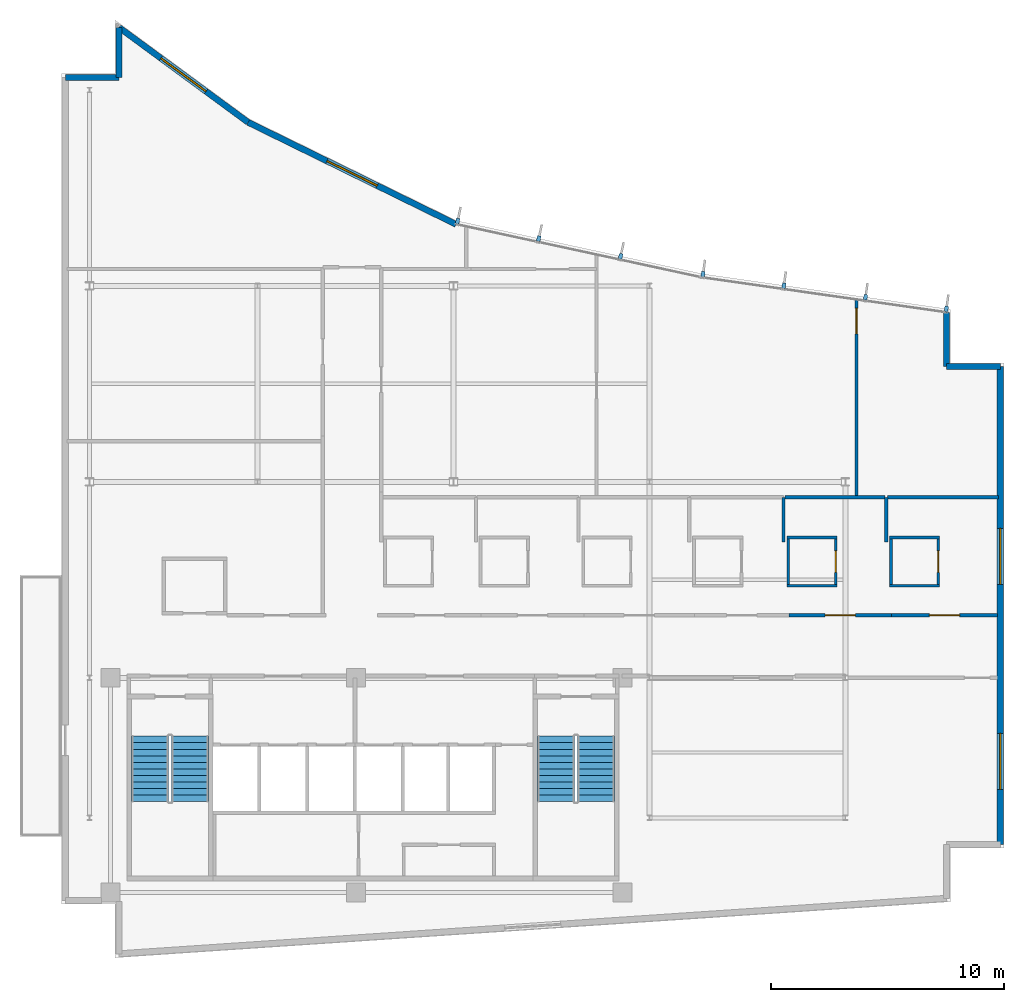
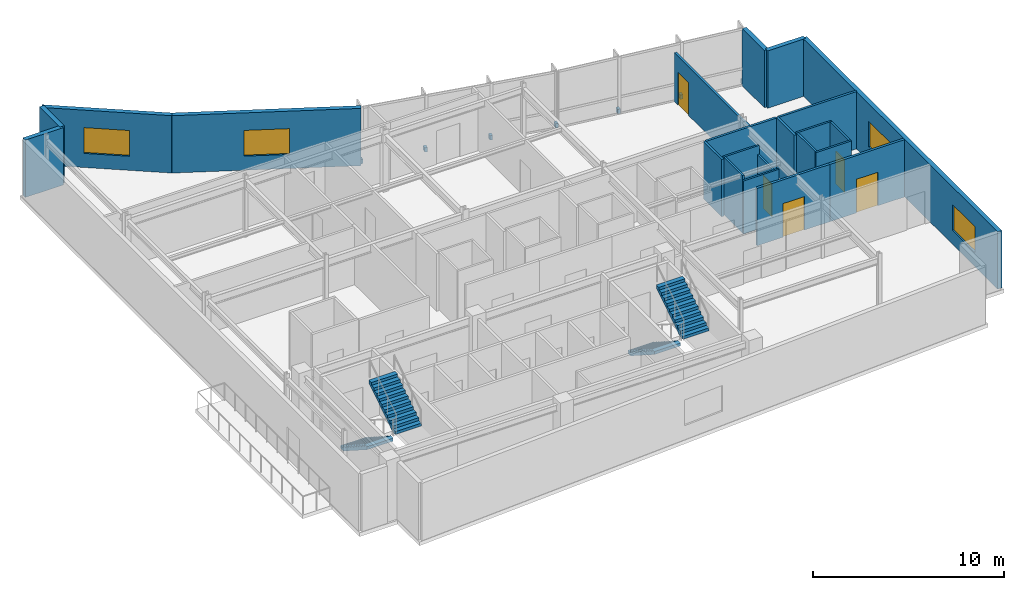
# One storey, part 12 of 15: 22 walls, 7 discrete accessories, 5 doors, 4 stair flights, 4 windows, 9 openings, 2 elements without a shape of their own.
"""IFC4 building model written with IfcOpenShell, lengths in metres."""

from ifc_helpers import new_model, si_unit, direction, frame, frame_2d, origin, origin_2d, place, context, subcontext, project, spatial, polyline, rectangle, outline, extrude, material, layer, layer_set, type_object, element, fill, aggregate, save


model = new_model("IFC4")

# Units and contexts
model_context = context("Model", 3, precision=1e-05, world=origin(), true_north=direction((0.0, 1.0)))
body_context = subcontext(model_context, "Body", "Model", "MODEL_VIEW")
ifc_project = project(units=[si_unit("LENGTHUNIT", "METRE"), si_unit("AREAUNIT", "SQUARE_METRE"), si_unit("VOLUMEUNIT", "CUBIC_METRE"), si_unit("PLANEANGLEUNIT", "RADIAN"), si_unit("MASSUNIT", "GRAM", prefix="KILO")], contexts=[model_context])

# Site, building, storey
site_placement = place(None, origin())
site = spatial("IfcSite", under=ifc_project, at=site_placement, CompositionType="ELEMENT")
building_placement = place(site_placement, origin())
building = spatial("IfcBuilding", under=site, at=building_placement, Name="Varnakote Quay Hospital", CompositionType="ELEMENT")
storey_placement = place(building_placement, frame((0.0, 0.0, 300.0)))
storey = spatial("IfcBuildingStorey", under=building, at=storey_placement, Name="L74", CompositionType="ELEMENT", Elevation=300.0)

# Walls
ifc_material_1 = material(Name="Moisture-resistant bathroom partition", Category="gypsum")
ifc_layer_1 = layer(ifc_material_1, 0.114990234375)
ifc_layer_set_1 = layer_set([ifc_layer_1], Name="Moisture-resistant bathroom partition")
wall_type_1 = type_object("IfcWallType", Name="WL-ENS-115", PredefinedType="PARTITIONING", material=ifc_layer_set_1)
wall_1_placement = place(storey_placement, frame((31.094970703125, 15.952392578125, 0.0), z_axis=(0.0, 0.0, 1.0), x_axis=(1.0, 0.0, 0.0)))
element("IfcWall", 1, at=wall_1_placement, inside=storey, type_object=wall_type_1, Name="L74 Inpatient En-Suite Bathroom 05 S Wall", PredefinedType="PARTITIONING", context=body_context, shape_type="SweptSolid", body=[
    extrude(rectangle(XDim=2.150146484375, YDim=0.114990234375, at=frame_2d((1.0751953125, 0.0))), origin(), (0.0, 0.0, 1.0), 3.388916015625),
])
wall_2_placement = place(storey_placement, frame((31.094970703125, 18.017578125, 0.0), z_axis=(0.0, 0.0, 1.0), x_axis=(1.0, 0.0, 0.0)))
element("IfcWall", 2, at=wall_2_placement, inside=storey, type_object=wall_type_1, Name="L74 Inpatient En-Suite Bathroom 05 N Wall", PredefinedType="PARTITIONING", context=body_context, shape_type="SweptSolid", body=[
    extrude(rectangle(XDim=2.150146484375, YDim=0.114990234375, at=frame_2d((1.0751953125, 0.0))), origin(), (0.0, 0.0, 1.0), 3.669921875),
])
wall_3_placement = place(storey_placement, frame((31.152587890625, 16.010009765625, 0.0), z_axis=(0.0, 0.0, 1.0), x_axis=(0.0, 1.0, 0.0)))
element("IfcWall", 3, at=wall_3_placement, inside=storey, type_object=wall_type_1, Name="L74 Inpatient En-Suite Bathroom 05 W Wall", PredefinedType="PARTITIONING", context=body_context, shape_type="SweptSolid", body=[
    extrude(rectangle(XDim=1.949951171875, YDim=0.114990234375, at=frame_2d((0.97509765625, 0.0))), origin(), (0.0, 0.0, 1.0), 3.669921875),
])

# Wall, opening, door
wall_4_placement = place(storey_placement, frame((33.1875, 16.010009765625, 0.0), z_axis=(0.0, 0.0, 1.0), x_axis=(0.0, 1.0, 0.0)))
wall_4 = element("IfcWall", 4, at=wall_4_placement, inside=storey, type_object=wall_type_1, Name="L74 Inpatient En-Suite Bathroom 05 E Wall", PredefinedType="PARTITIONING", context=body_context, shape_type="SweptSolid", body=[
    extrude(rectangle(XDim=1.949951171875, YDim=0.114990234375, at=frame_2d((0.97509765625, 0.0))), origin(), (0.0, 0.0, 1.0), 3.116943359375),
])
opening_1_placement = place(wall_4_placement, frame((0.514892578125, 0.0, 0.0)))
opening_1 = element("IfcOpeningElement", 5, at=opening_1_placement, cuts=wall_4, Name="Opening D-L74-ENS05", PredefinedType="OPENING", context=body_context, shape_type="SweptSolid", body=[
    extrude(rectangle(XDim=0.919921875, YDim=2.10009765625, at=frame_2d((0.4599609375, 1.050048828125))), frame((0.0, 0.0673828125, 0.0), z_axis=(0.0, -1.0, 0.0), x_axis=(1.0, 0.0, 0.0)), (0.0, 0.0, 1.0), 0.135009765625),
])
ifc_material_2 = material(Name="Moisture-sealed en-suite bathroom door")
door_type_1 = type_object("IfcDoorType", Name="DR-ENS-920x2100", OperationType="NOTDEFINED", PredefinedType="DOOR", material=ifc_material_2)
door_1_placement = place(opening_1_placement, origin())
door_1 = element("IfcDoor", 6, at=door_1_placement, inside=storey, type_object=door_type_1, Name="L74 Inpatient En-Suite Bathroom 05 Door", OperationType="SINGLE_SWING_LEFT", OverallHeight=2.10009765625, OverallWidth=0.919921875, PredefinedType="DOOR", context=body_context, shape_type="SweptSolid", body=[
    extrude(rectangle(XDim=0.919921875, YDim=2.10009765625, at=frame_2d((0.4599609375, 1.050048828125))), frame((0.0, 0.02490234375, 0.0), z_axis=(0.0, -1.0, 0.0), x_axis=(1.0, 0.0, 0.0)), (0.0, 0.0, 1.0), 0.050048828125),
])
fill(opening_1, door_1)

# Walls
for number, where, z_axis, x_axis, name in (
    (7, (35.4951171875, 15.952392578125, 0.0), (0.0, 0.0, 1.0), (1.0, 0.0, 0.0), "L74 Inpatient En-Suite Bathroom 06 S Wall"),
    (8, (35.4951171875, 18.017578125, 0.0), (0.0, 0.0, 1.0), (1.0, 0.0, 0.0), "L74 Inpatient En-Suite Bathroom 06 N Wall"),
):
    element("IfcWall", number, at=place(storey_placement, frame(where, z_axis=z_axis, x_axis=x_axis)), inside=storey, type_object=wall_type_1, Name=name, PredefinedType="PARTITIONING", context=body_context, shape_type="SweptSolid", body=[
        extrude(rectangle(XDim=2.14990234375, YDim=0.114990234375, at=frame_2d((1.074951171875, 0.0))), origin(), (0.0, 0.0, 1.0), 3.669921875),
    ])
wall_5_placement = place(storey_placement, frame((35.552490234375, 16.010009765625, 0.0), z_axis=(0.0, 0.0, 1.0), x_axis=(0.0, 1.0, 0.0)))
element("IfcWall", 9, at=wall_5_placement, inside=storey, type_object=wall_type_1, Name="L74 Inpatient En-Suite Bathroom 06 W Wall", PredefinedType="PARTITIONING", context=body_context, shape_type="SweptSolid", body=[
    extrude(rectangle(XDim=1.949951171875, YDim=0.114990234375, at=frame_2d((0.97509765625, 0.0))), origin(), (0.0, 0.0, 1.0), 3.669921875),
])

# Wall, opening, door
wall_6_placement = place(storey_placement, frame((37.58740234375, 16.010009765625, 0.0), z_axis=(0.0, 0.0, 1.0), x_axis=(0.0, 1.0, 0.0)))
wall_6 = element("IfcWall", 10, at=wall_6_placement, inside=storey, type_object=wall_type_1, Name="L74 Inpatient En-Suite Bathroom 06 E Wall", PredefinedType="PARTITIONING", context=body_context, shape_type="SweptSolid", body=[
    extrude(rectangle(XDim=1.949951171875, YDim=0.114990234375, at=frame_2d((0.97509765625, 0.0))), origin(), (0.0, 0.0, 1.0), 3.669921875),
])
opening_2_placement = place(wall_6_placement, frame((0.514892578125, 0.0, 0.0)))
opening_2 = element("IfcOpeningElement", 11, at=opening_2_placement, cuts=wall_6, Name="Opening D-L74-ENS06", PredefinedType="OPENING", context=body_context, shape_type="SweptSolid", body=[
    extrude(rectangle(XDim=0.919921875, YDim=2.10009765625, at=frame_2d((0.4599609375, 1.050048828125))), frame((0.0, 0.0673828125, 0.0), z_axis=(0.0, -1.0, 0.0), x_axis=(1.0, 0.0, 0.0)), (0.0, 0.0, 1.0), 0.135009765625),
])
door_2_placement = place(opening_2_placement, origin())
door_2 = element("IfcDoor", 12, at=door_2_placement, inside=storey, type_object=door_type_1, Name="L74 Inpatient En-Suite Bathroom 06 Door", OperationType="SINGLE_SWING_RIGHT", OverallHeight=2.10009765625, OverallWidth=0.919921875, PredefinedType="DOOR", context=body_context, shape_type="SweptSolid", body=[
    extrude(rectangle(XDim=0.919921875, YDim=2.10009765625, at=frame_2d((0.4599609375, 1.050048828125))), frame((0.0, 0.02490234375, 0.0), z_axis=(0.0, -1.0, 0.0), x_axis=(1.0, 0.0, 0.0)), (0.0, 0.0, 1.0), 0.050048828125),
])
fill(opening_2, door_2)

# Wall, openings, windows
ifc_material_3 = material(Name="Precast concrete N50 (f'c 50 MPa)", Category="concrete")
ifc_layer_2 = layer(ifc_material_3, 0.260009765625)
ifc_layer_set_2 = layer_set([ifc_layer_2], Name="Precast concrete N50 (f'c 50 MPa)")
wall_type_2 = type_object("IfcWallType", Name="WL-EXT-BRICK-260", PredefinedType="STANDARD", material=ifc_layer_set_2)
wall_7_placement = place(storey_placement, frame((40.239990234375, 4.860107421875, 0.0), z_axis=(0.0, 0.0, 1.0), x_axis=(0.0, 1.0, 0.0)))
wall_7 = element("IfcWall", 13, at=wall_7_placement, inside=storey, type_object=wall_type_2, Name="L74 Brick-Faced Precast Exterior Wall", PredefinedType="STANDARD", context=body_context, shape_type="SweptSolid", body=[
    extrude(rectangle(XDim=20.47998046875, YDim=0.260009765625, at=frame_2d((10.239990234375, 0.0))), origin(), (0.0, 0.0, 1.0), 3.669921875),
])
opening_3_placement = place(wall_7_placement, frame((2.360107421875, 0.0, 0.89990234375)))
opening_3 = element("IfcOpeningElement", 14, at=opening_3_placement, cuts=wall_7, Name="Opening WN-0299", PredefinedType="OPENING", context=body_context, shape_type="SweptSolid", body=[
    extrude(rectangle(XDim=2.39990234375, YDim=1.64990234375, at=frame_2d((1.199951171875, 0.824951171875))), frame((0.0, 0.139892578125, 0.0), z_axis=(0.0, -1.0, 0.0), x_axis=(1.0, 0.0, 0.0)), (0.0, 0.0, 1.0), 0.280029296875),
])
opening_4_placement = place(wall_7_placement, frame((11.14990234375, 0.0, 0.89990234375)))
opening_4 = element("IfcOpeningElement", 15, at=opening_4_placement, cuts=wall_7, Name="Opening WN-0315", PredefinedType="OPENING", context=body_context, shape_type="SweptSolid", body=[
    extrude(rectangle(XDim=2.39990234375, YDim=1.64990234375, at=frame_2d((1.199951171875, 0.824951171875))), frame((0.0, 0.139892578125, 0.0), z_axis=(0.0, -1.0, 0.0), x_axis=(1.0, 0.0, 0.0)), (0.0, 0.0, 1.0), 0.280029296875),
])
ifc_material_4 = material(Name="Double-glazed low-E solar glass", Category="glass")
window_type = type_object("IfcWindowType", Name="WIN-CLIN-2400x1650", PartitioningType="SINGLE_PANEL", PredefinedType="WINDOW", material=ifc_material_4)
window_1_placement = place(opening_3_placement, origin())
window_1 = element("IfcWindow", 16, at=window_1_placement, inside=storey, type_object=window_type, Name="L74 Solar-Control Clinical Window", OverallHeight=1.64990234375, OverallWidth=2.39990234375, PartitioningType="SINGLE_PANEL", PredefinedType="WINDOW", context=body_context, shape_type="SweptSolid", body=[
    extrude(rectangle(XDim=2.39990234375, YDim=1.64990234375, at=frame_2d((1.199951171875, 0.824951171875))), frame((0.0, 0.030029296875, 0.0), z_axis=(0.0, -1.0, 0.0), x_axis=(1.0, 0.0, 0.0)), (0.0, 0.0, 1.0), 0.06005859375),
])
fill(opening_3, window_1)
window_2_placement = place(opening_4_placement, origin())
window_2 = element("IfcWindow", 17, at=window_2_placement, inside=storey, type_object=window_type, Name="L74 Solar-Control Clinical Window", OverallHeight=1.64990234375, OverallWidth=2.39990234375, PartitioningType="SINGLE_PANEL", PredefinedType="WINDOW", context=body_context, shape_type="SweptSolid", body=[
    extrude(rectangle(XDim=2.39990234375, YDim=1.64990234375, at=frame_2d((1.199951171875, 0.824951171875))), frame((0.0, 0.030029296875, 0.0), z_axis=(0.0, -1.0, 0.0), x_axis=(1.0, 0.0, 0.0)), (0.0, 0.0, 1.0), 0.06005859375),
])
fill(opening_4, window_2)

# Walls
wall_8_placement = place(storey_placement, frame((40.239990234375, 25.340087890625, 0.0), z_axis=(0.0, 0.0, 1.0), x_axis=(-1.0, 0.0, 0.0)))
element("IfcWall", 18, at=wall_8_placement, inside=storey, type_object=wall_type_2, Name="L74 Brick-Faced Precast Exterior Wall", PredefinedType="STANDARD", context=body_context, shape_type="SweptSolid", body=[
    extrude(rectangle(XDim=2.300048828125, YDim=0.260009765625, at=frame_2d((1.14990234375, 0.0))), origin(), (0.0, 0.0, 1.0), 3.669921875),
])
wall_9_placement = place(storey_placement, frame((37.93994140625, 25.340087890625, 0.0), z_axis=(0.0, 0.0, 1.0), x_axis=(0.0, 1.0, 0.0)))
element("IfcWall", 19, at=wall_9_placement, inside=storey, type_object=wall_type_2, Name="L74 Brick-Faced Precast Exterior Wall", PredefinedType="STANDARD", context=body_context, shape_type="SweptSolid", body=[
    extrude(rectangle(XDim=2.3212890625, YDim=0.260009765625, at=frame_2d((1.16064453125, 0.0))), origin(), (0.0, 0.0, 1.0), 3.669921875),
])

# Wall, opening, window
wall_10_placement = place(storey_placement, frame((16.9150390625, 31.439697265625, 0.0), z_axis=(0.0, 0.0, 1.0), x_axis=(-0.897793077248, 0.440417518322, 0.0)))
wall_10 = element("IfcWall", 20, at=wall_10_placement, inside=storey, type_object=wall_type_2, Name="L74 Brick-Faced Precast Exterior Wall", PredefinedType="STANDARD", context=body_context, shape_type="SweptSolid", body=[
    extrude(rectangle(XDim=9.933837890625, YDim=0.260009765625, at=frame_2d((4.966796875, 0.0))), origin(), (0.0, 0.0, 1.0), 3.669921875),
])
opening_5_placement = place(wall_10_placement, frame((3.766845703125, 0.0, 0.89990234375)))
opening_5 = element("IfcOpeningElement", 21, at=opening_5_placement, cuts=wall_10, Name="Opening WN-0300", PredefinedType="OPENING", context=body_context, shape_type="SweptSolid", body=[
    extrude(rectangle(XDim=2.39990234375, YDim=1.64990234375, at=frame_2d((1.199951171875, 0.824951171875))), frame((0.0, 0.139892578125, 0.0), z_axis=(0.0, -1.0, 0.0), x_axis=(1.0, 0.0, 0.0)), (0.0, 0.0, 1.0), 0.280029296875),
])
window_3_placement = place(opening_5_placement, origin())
window_3 = element("IfcWindow", 22, at=window_3_placement, inside=storey, type_object=window_type, Name="L74 Solar-Control Clinical Window", OverallHeight=1.64990234375, OverallWidth=2.39990234375, PartitioningType="SINGLE_PANEL", PredefinedType="WINDOW", context=body_context, shape_type="SweptSolid", body=[
    extrude(rectangle(XDim=2.39990234375, YDim=1.64990234375, at=frame_2d((1.199951171875, 0.824951171875))), frame((0.0, 0.030029296875, 0.0), z_axis=(0.0, -1.0, 0.0), x_axis=(1.0, 0.0, 0.0)), (0.0, 0.0, 1.0), 0.06005859375),
])
fill(opening_5, window_3)

wall_11_placement = place(storey_placement, frame((7.99658203125, 35.814697265625, 0.0), z_axis=(0.0, 0.0, 1.0), x_axis=(-0.805786654178, 0.592205933733, 0.0)))
wall_11 = element("IfcWall", 23, at=wall_11_placement, inside=storey, type_object=wall_type_2, Name="L74 Brick-Faced Precast Exterior Wall", PredefinedType="STANDARD", context=body_context, shape_type="SweptSolid", body=[
    extrude(rectangle(XDim=6.87109375, YDim=0.260009765625, at=frame_2d((3.435546875, 0.0))), origin(), (0.0, 0.0, 1.0), 3.669921875),
])
opening_6_placement = place(wall_11_placement, frame((2.235595703125, 0.0, 0.89990234375)))
opening_6 = element("IfcOpeningElement", 24, at=opening_6_placement, cuts=wall_11, Name="Opening WN-0301", PredefinedType="OPENING", context=body_context, shape_type="SweptSolid", body=[
    extrude(rectangle(XDim=2.39990234375, YDim=1.64990234375, at=frame_2d((1.199951171875, 0.824951171875))), frame((0.0, 0.139892578125, 0.0), z_axis=(0.0, -1.0, 0.0), x_axis=(1.0, 0.0, 0.0)), (0.0, 0.0, 1.0), 0.280029296875),
])
window_4_placement = place(opening_6_placement, origin())
window_4 = element("IfcWindow", 25, at=window_4_placement, inside=storey, type_object=window_type, Name="L74 Solar-Control Clinical Window", OverallHeight=1.64990234375, OverallWidth=2.39990234375, PartitioningType="SINGLE_PANEL", PredefinedType="WINDOW", context=body_context, shape_type="SweptSolid", body=[
    extrude(rectangle(XDim=2.39990234375, YDim=1.64990234375, at=frame_2d((1.199951171875, 0.824951171875))), frame((0.0, 0.030029296875, 0.0), z_axis=(0.0, -1.0, 0.0), x_axis=(1.0, 0.0, 0.0)), (0.0, 0.0, 1.0), 0.06005859375),
])
fill(opening_6, window_4)

# Walls
wall_12_placement = place(storey_placement, frame((2.4599609375, 39.8837890625, 0.0), z_axis=(0.0, 0.0, 1.0), x_axis=(0.0, -1.0, 0.0)))
element("IfcWall", 26, at=wall_12_placement, inside=storey, type_object=wall_type_2, Name="L74 Brick-Faced Precast Exterior Wall", PredefinedType="STANDARD", context=body_context, shape_type="SweptSolid", body=[
    extrude(rectangle(XDim=2.143798828125, YDim=0.260009765625, at=frame_2d((1.07177734375, 0.0))), origin(), (0.0, 0.0, 1.0), 3.669921875),
])
wall_13_placement = place(storey_placement, frame((2.4599609375, 37.739990234375, 0.0), z_axis=(0.0, 0.0, 1.0), x_axis=(-1.0, 0.0, 0.0)))
element("IfcWall", 27, at=wall_13_placement, inside=storey, type_object=wall_type_2, Name="L74 Brick-Faced Precast Exterior Wall", PredefinedType="STANDARD", context=body_context, shape_type="SweptSolid", body=[
    extrude(rectangle(XDim=2.300048828125, YDim=0.260009765625, at=frame_2d((1.14990234375, 0.0))), origin(), (0.0, 0.0, 1.0), 3.669921875),
])
ifc_material_5 = material(Name="Smoke-proof clinical partition", Category="gypsum")
ifc_layer_3 = layer(ifc_material_5, 0.135009765625)
ifc_layer_set_3 = layer_set([ifc_layer_3], Name="Smoke-proof clinical partition")
wall_type_3 = type_object("IfcWallType", Name="WL-SMOKE-135", PredefinedType="PARTITIONING", material=ifc_layer_set_3)
for number, where, z_axis, x_axis, name in (
    (28, (30.949951171875, 17.83251953125, 0.0), (0.0, 0.0, 1.0), (0.0, 1.0, 0.0), "L74 Clinical Interior Partition"),
    (29, (35.35009765625, 17.83251953125, 0.0), (0.0, 0.0, 1.0), (0.0, 1.0, 0.0), "L74 Clinical Interior Partition"),
):
    element("IfcWall", number, at=place(storey_placement, frame(where, z_axis=z_axis, x_axis=x_axis)), inside=storey, type_object=wall_type_3, Name=name, PredefinedType="PARTITIONING", context=body_context, shape_type="SweptSolid", body=[
        extrude(rectangle(XDim=1.907470703125, YDim=0.135009765625, at=frame_2d((0.95361328125, 0.0))), origin(), (0.0, 0.0, 1.0), 3.669921875),
    ])
wall_14_placement = place(storey_placement, frame((35.29248046875, 19.739990234375, 0.0), z_axis=(0.0, 0.0, 1.0), x_axis=(-1.0, 0.0, 0.0)))
element("IfcWall", 30, at=wall_14_placement, inside=storey, type_object=wall_type_3, Name="L74 Clinical Interior Partition", PredefinedType="PARTITIONING", context=body_context, shape_type="SweptSolid", body=[
    extrude(rectangle(XDim=4.284912109375, YDim=0.135009765625, at=frame_2d((2.142578125, 0.0))), origin(), (0.0, 0.0, 1.0), 3.669921875),
])
wall_15_placement = place(storey_placement, frame((40.159912109375, 19.739990234375, 0.0), z_axis=(0.0, 0.0, 1.0), x_axis=(-1.0, 0.0, 0.0)))
element("IfcWall", 31, at=wall_15_placement, inside=storey, type_object=wall_type_3, Name="L74 Clinical Interior Partition", PredefinedType="PARTITIONING", context=body_context, shape_type="SweptSolid", body=[
    extrude(rectangle(XDim=4.75244140625, YDim=0.135009765625, at=frame_2d((2.376220703125, 0.0))), origin(), (0.0, 0.0, 1.0), 3.669921875),
])

# Wall, opening, door
wall_16_placement = place(storey_placement, frame((34.080078125, 19.797607421875, 0.0), z_axis=(0.0, 0.0, 1.0), x_axis=(0.0, 1.0, 0.0)))
wall_16 = element("IfcWall", 32, at=wall_16_placement, inside=storey, type_object=wall_type_3, Name="L74 Clinical Interior Partition", PredefinedType="PARTITIONING", context=body_context, shape_type="SweptSolid", body=[
    extrude(rectangle(XDim=8.415771484375, YDim=0.135009765625, at=frame_2d((4.2080078125, 0.0))), origin(), (0.0, 0.0, 1.0), 3.116943359375),
])
opening_7_placement = place(wall_16_placement, frame((6.94287109375, 0.0, 0.0)))
opening_7 = element("IfcOpeningElement", 33, at=opening_7_placement, cuts=wall_16, Name="Opening D-L74-MD04", PredefinedType="OPENING", context=body_context, shape_type="SweptSolid", body=[
    extrude(rectangle(XDim=1.10009765625, YDim=2.10009765625, at=frame_2d((0.550048828125, 1.050048828125))), frame((0.0, 0.077392578125, 0.0), z_axis=(0.0, -1.0, 0.0), x_axis=(1.0, 0.0, 0.0)), (0.0, 0.0, 1.0), 0.155029296875),
])
ifc_material_6 = material(Name="Acoustic timber clinical consult door", Category="wood")
door_type_2 = type_object("IfcDoorType", Name="DR-CLIN-FD30S-1100x2100", OperationType="NOTDEFINED", PredefinedType="DOOR", material=ifc_material_6)
door_3_placement = place(opening_7_placement, origin())
door_3 = element("IfcDoor", 34, at=door_3_placement, inside=storey, type_object=door_type_2, Name="L74 Crown Clinical Pantry Door", OperationType="SINGLE_SWING_LEFT", OverallHeight=2.10009765625, OverallWidth=1.10009765625, PredefinedType="DOOR", context=body_context, shape_type="SweptSolid", body=[
    extrude(rectangle(XDim=1.10009765625, YDim=2.10009765625, at=frame_2d((0.550048828125, 1.050048828125))), frame((0.0, 0.02490234375, 0.0), z_axis=(0.0, -1.0, 0.0), x_axis=(1.0, 0.0, 0.0)), (0.0, 0.0, 1.0), 0.050048828125),
])
fill(opening_7, door_3)

ifc_material_7 = material(Name="Fire-rated clinical gypsum partition", Category="gypsum")
ifc_layer_4 = layer(ifc_material_7, 0.14990234375)
ifc_layer_set_4 = layer_set([ifc_layer_4], Name="Fire-rated clinical gypsum partition")
wall_type_4 = type_object("IfcWallType", Name="WL-WARD-150", PredefinedType="PARTITIONING", material=ifc_layer_set_4)
wall_17_placement = place(storey_placement, frame((35.575927734375, 14.679931640625, 0.0), z_axis=(0.0, 0.0, 1.0), x_axis=(-1.0, 0.0, 0.0)))
wall_17 = element("IfcWall", 35, at=wall_17_placement, inside=storey, type_object=wall_type_4, Name="L74 Clinical Interior Partition", PredefinedType="PARTITIONING", context=body_context, shape_type="SweptSolid", body=[
    extrude(rectangle(XDim=4.39794921875, YDim=0.14990234375, at=frame_2d((2.198974609375, 0.0))), origin(), (0.0, 0.0, 1.0), 3.669921875),
])
opening_8_placement = place(wall_17_placement, frame((1.549072265625, 0.0, 0.0)))
opening_8 = element("IfcOpeningElement", 36, at=opening_8_placement, cuts=wall_17, Name="Opening D-L74-BR05", PredefinedType="OPENING", context=body_context, shape_type="SweptSolid", body=[
    extrude(rectangle(XDim=1.300048828125, YDim=2.14990234375, at=frame_2d((0.64990234375, 1.074951171875))), frame((0.0, 0.0849609375, 0.0), z_axis=(0.0, -1.0, 0.0), x_axis=(1.0, 0.0, 0.0)), (0.0, 0.0, 1.0), 0.169921875),
])
ifc_material_8 = material(Name="Solid-core timber clinical bed door", Category="wood")
door_type_3 = type_object("IfcDoorType", Name="DR-WARD-FD30S-1300x2150", OperationType="NOTDEFINED", PredefinedType="DOOR", material=ifc_material_8)
door_4_placement = place(opening_8_placement, origin())
door_4 = element("IfcDoor", 37, at=door_4_placement, inside=storey, type_object=door_type_3, Name="L74 Resident Care Bedroom 05 Door", OperationType="SINGLE_SWING_RIGHT", OverallHeight=2.14990234375, OverallWidth=1.300048828125, PredefinedType="DOOR", context=body_context, shape_type="SweptSolid", body=[
    extrude(rectangle(XDim=1.300048828125, YDim=2.14990234375, at=frame_2d((0.64990234375, 1.074951171875))), frame((0.0, 0.02490234375, 0.0), z_axis=(0.0, -1.0, 0.0), x_axis=(1.0, 0.0, 0.0)), (0.0, 0.0, 1.0), 0.050048828125),
])
fill(opening_8, door_4)

wall_18_placement = place(storey_placement, frame((40.1201171875, 14.679931640625, 0.0), z_axis=(0.0, 0.0, 1.0), x_axis=(-1.0, 0.0, 0.0)))
wall_18 = element("IfcWall", 38, at=wall_18_placement, inside=storey, type_object=wall_type_4, Name="L74 Clinical Interior Partition", PredefinedType="PARTITIONING", context=body_context, shape_type="SweptSolid", body=[
    extrude(rectangle(XDim=4.542236328125, YDim=0.14990234375, at=frame_2d((2.27099609375, 0.0))), origin(), (0.0, 0.0, 1.0), 3.669921875),
])
opening_9_placement = place(wall_18_placement, frame((1.62109375, 0.0, 0.0)))
opening_9 = element("IfcOpeningElement", 39, at=opening_9_placement, cuts=wall_18, Name="Opening D-L74-BR06", PredefinedType="OPENING", context=body_context, shape_type="SweptSolid", body=[
    extrude(rectangle(XDim=1.300048828125, YDim=2.14990234375, at=frame_2d((0.64990234375, 1.074951171875))), frame((0.0, 0.0849609375, 0.0), z_axis=(0.0, -1.0, 0.0), x_axis=(1.0, 0.0, 0.0)), (0.0, 0.0, 1.0), 0.169921875),
])
door_5_placement = place(opening_9_placement, origin())
door_5 = element("IfcDoor", 40, at=door_5_placement, inside=storey, type_object=door_type_3, Name="L74 Resident Care Bedroom 06 Door", OperationType="SINGLE_SWING_LEFT", OverallHeight=2.14990234375, OverallWidth=1.300048828125, PredefinedType="DOOR", context=body_context, shape_type="SweptSolid", body=[
    extrude(rectangle(XDim=1.300048828125, YDim=2.14990234375, at=frame_2d((0.64990234375, 1.074951171875))), frame((0.0, 0.02490234375, 0.0), z_axis=(0.0, -1.0, 0.0), x_axis=(1.0, 0.0, 0.0)), (0.0, 0.0, 1.0), 0.050048828125),
])
fill(opening_9, door_5)

# Stair, stair flights
ifc_material_9 = material(Name="Concrete N40 (f'c 40 MPa)", Category="concrete")
stair_type = type_object("IfcStairType", Name="STR-CORE-1580", PredefinedType="HALF_TURN_STAIR", material=ifc_material_9)
stair_1_placement = place(storey_placement, origin())
stair_1 = element("IfcStair", 41, at=stair_1_placement, inside=storey, type_object=stair_type, Name="L74 Fire-Isolated Exit Stair ST-01", PredefinedType="HALF_TURN_STAIR")
ifc_material_10 = material(Name="Concrete N40 (f'c 40 MPa)", Category="concrete")
ifc_layer_5 = layer(ifc_material_10, 0.159912109375)
ifc_layer_set_5 = layer_set([ifc_layer_5], Name="Concrete N40 (f'c 40 MPa)")
stair_flight_type = type_object("IfcStairFlightType", Name="FLT-CORE-1580", PredefinedType="STRAIGHT", material=ifc_layer_set_5)
stair_flight_1_placement = place(storey_placement, frame((3.7900390625, 9.5, 0.0), z_axis=(0.0, 0.0, 1.0), x_axis=(0.0, -1.0, 0.0)))
stair_flight_1 = element("IfcStairFlight", 42, at=stair_flight_1_placement, type_object=stair_flight_type, Name="ST-01 flight 1", NumberOfRisers=11, NumberOfTreads=10, PredefinedType="STRAIGHT", RiserHeight=0.179545455, TreadLength=0.28, context=body_context, shape_type="SweptSolid", body=[
    extrude(outline(polyline([(0.0, 0.0), (0.0, 0.179443359375), (0.280029296875, 0.179443359375), (0.280029296875, 0.359130859375), (0.56005859375, 0.359130859375), (0.56005859375, 0.53857421875), (0.840087890625, 0.53857421875), (0.840087890625, 0.71826171875), (1.1201171875, 0.71826171875), (1.1201171875, 0.897705078125), (1.39990234375, 0.897705078125), (1.39990234375, 1.077392578125), (1.679931640625, 1.077392578125), (1.679931640625, 1.2568359375), (1.9599609375, 1.2568359375), (1.9599609375, 1.436279296875), (2.239990234375, 1.436279296875), (2.239990234375, 1.615966796875), (2.52001953125, 1.615966796875), (2.52001953125, 1.79541015625), (2.800048828125, 1.79541015625), (2.800048828125, 1.97509765625), (2.800048828125, 1.60546875), (0.296142578125, 0.0), (0.0, 0.0)])), frame((0.0, 0.7900390625, 0.0), z_axis=(0.0, -1.0, 0.0), x_axis=(1.0, 0.0, 0.0)), (0.0, 0.0, 1.0), 1.580078125),
])
stair_flight_2_placement = place(storey_placement, frame((5.510009765625, 6.699951171875, 1.97509765625), z_axis=(0.0, 0.0, 1.0), x_axis=(0.0, 1.0, 0.0)))
stair_flight_2 = element("IfcStairFlight", 43, at=stair_flight_2_placement, type_object=stair_flight_type, Name="ST-01 flight 2", NumberOfRisers=11, NumberOfTreads=10, PredefinedType="STRAIGHT", RiserHeight=0.179545455, TreadLength=0.28, context=body_context, shape_type="SweptSolid", body=[
    extrude(outline(polyline([(0.0, 0.0), (0.0, 0.179443359375), (0.280029296875, 0.179443359375), (0.280029296875, 0.359130859375), (0.56005859375, 0.359130859375), (0.56005859375, 0.53857421875), (0.840087890625, 0.53857421875), (0.840087890625, 0.71826171875), (1.1201171875, 0.71826171875), (1.1201171875, 0.897705078125), (1.39990234375, 0.897705078125), (1.39990234375, 1.077392578125), (1.679931640625, 1.077392578125), (1.679931640625, 1.2568359375), (1.9599609375, 1.2568359375), (1.9599609375, 1.436279296875), (2.239990234375, 1.436279296875), (2.239990234375, 1.615966796875), (2.52001953125, 1.615966796875), (2.52001953125, 1.79541015625), (2.800048828125, 1.79541015625), (2.800048828125, 1.97509765625), (2.800048828125, 1.60546875), (0.296142578125, 0.0), (0.0, 0.0)])), frame((0.0, 0.7900390625, 0.0), z_axis=(0.0, -1.0, 0.0), x_axis=(1.0, 0.0, 0.0)), (0.0, 0.0, 1.0), 1.580078125),
])
aggregate(stair_1, [stair_flight_1, stair_flight_2])

stair_2_placement = place(storey_placement, origin())
stair_2 = element("IfcStair", 44, at=stair_2_placement, inside=storey, type_object=stair_type, Name="L74 Fire-Isolated Exit Stair ST-02", PredefinedType="HALF_TURN_STAIR")
stair_flight_3_placement = place(storey_placement, frame((21.18994140625, 9.5, 0.0), z_axis=(0.0, 0.0, 1.0), x_axis=(0.0, -1.0, 0.0)))
stair_flight_3 = element("IfcStairFlight", 45, at=stair_flight_3_placement, type_object=stair_flight_type, Name="ST-02 flight 1", NumberOfRisers=11, NumberOfTreads=10, PredefinedType="STRAIGHT", RiserHeight=0.179545455, TreadLength=0.28, context=body_context, shape_type="SweptSolid", body=[
    extrude(outline(polyline([(0.0, 0.0), (0.0, 0.179443359375), (0.280029296875, 0.179443359375), (0.280029296875, 0.359130859375), (0.56005859375, 0.359130859375), (0.56005859375, 0.53857421875), (0.840087890625, 0.53857421875), (0.840087890625, 0.71826171875), (1.1201171875, 0.71826171875), (1.1201171875, 0.897705078125), (1.39990234375, 0.897705078125), (1.39990234375, 1.077392578125), (1.679931640625, 1.077392578125), (1.679931640625, 1.2568359375), (1.9599609375, 1.2568359375), (1.9599609375, 1.436279296875), (2.239990234375, 1.436279296875), (2.239990234375, 1.615966796875), (2.52001953125, 1.615966796875), (2.52001953125, 1.79541015625), (2.800048828125, 1.79541015625), (2.800048828125, 1.97509765625), (2.800048828125, 1.60546875), (0.296142578125, 0.0), (0.0, 0.0)])), frame((0.0, 0.7900390625, 0.0), z_axis=(0.0, -1.0, 0.0), x_axis=(1.0, 0.0, 0.0)), (0.0, 0.0, 1.0), 1.580078125),
])
stair_flight_4_placement = place(storey_placement, frame((22.909912109375, 6.699951171875, 1.97509765625), z_axis=(0.0, 0.0, 1.0), x_axis=(0.0, 1.0, 0.0)))
stair_flight_4 = element("IfcStairFlight", 46, at=stair_flight_4_placement, type_object=stair_flight_type, Name="ST-02 flight 2", NumberOfRisers=11, NumberOfTreads=10, PredefinedType="STRAIGHT", RiserHeight=0.179545455, TreadLength=0.28, context=body_context, shape_type="SweptSolid", body=[
    extrude(outline(polyline([(0.0, 0.0), (0.0, 0.179443359375), (0.280029296875, 0.179443359375), (0.280029296875, 0.359130859375), (0.56005859375, 0.359130859375), (0.56005859375, 0.53857421875), (0.840087890625, 0.53857421875), (0.840087890625, 0.71826171875), (1.1201171875, 0.71826171875), (1.1201171875, 0.897705078125), (1.39990234375, 0.897705078125), (1.39990234375, 1.077392578125), (1.679931640625, 1.077392578125), (1.679931640625, 1.2568359375), (1.9599609375, 1.2568359375), (1.9599609375, 1.436279296875), (2.239990234375, 1.436279296875), (2.239990234375, 1.615966796875), (2.52001953125, 1.615966796875), (2.52001953125, 1.79541015625), (2.800048828125, 1.79541015625), (2.800048828125, 1.97509765625), (2.800048828125, 1.60546875), (0.296142578125, 0.0), (0.0, 0.0)])), frame((0.0, 0.7900390625, 0.0), z_axis=(0.0, -1.0, 0.0), x_axis=(1.0, 0.0, 0.0)), (0.0, 0.0, 1.0), 1.580078125),
])
aggregate(stair_2, [stair_flight_3, stair_flight_4])

# Discrete accessories
ifc_material_11 = material(Name="Anodised aluminium 6063-T6 Bronze", Category="aluminium")
discrete_accessory_type = type_object("IfcDiscreteAccessoryType", Name="ACC-FIN-BRACKET-180", PredefinedType="BRACKET", material=ifc_material_11)
for number, where, z_axis, x_axis, name in (
    (47, (37.92919921875, 27.814453125, 0.0), (0.0, 0.0, 1.0), (-0.989925048845, 0.141592364445, 0.0), "L74 Curtain Wall Fin Fixing Bracket"),
    (48, (34.46240234375, 28.310302734375, 0.0), (0.0, 0.0, 1.0), (-0.989925048845, 0.141592364445, 0.0), "L74 Curtain Wall Fin Fixing Bracket"),
    (49, (30.963623046875, 28.810546875, 0.0), (0.0, 0.0, 1.0), (-0.989925048845, 0.141592364445, 0.0), "L74 Curtain Wall Fin Fixing Bracket"),
    (50, (27.4970703125, 29.306396484375, 0.0), (0.0, 0.0, 1.0), (-0.989925048845, 0.141592364445, 0.0), "L74 Curtain Wall Fin Fixing Bracket"),
    (51, (23.9658203125, 30.068115234375, 0.0), (0.0, 0.0, 1.0), (-0.977415894286, 0.211324796455, 0.0), "L74 Curtain Wall Fin Fixing Bracket"),
    (52, (20.456298828125, 30.8271484375, 0.0), (0.0, 0.0, 1.0), (-0.977415894286, 0.211324796455, 0.0), "L74 Curtain Wall Fin Fixing Bracket"),
    (53, (16.978515625, 31.579345703125, 0.0), (0.0, 0.0, 1.0), (-0.977415894286, 0.211324796455, 0.0), "L74 Curtain Wall Fin Fixing Bracket"),
):
    element("IfcDiscreteAccessory", number, at=place(storey_placement, frame(where, z_axis=z_axis, x_axis=x_axis)), inside=storey, type_object=discrete_accessory_type, Name=name, PredefinedType="BRACKET", context=body_context, shape_type="SweptSolid", body=[
        extrude(rectangle(XDim=0.159912109375, YDim=0.239990234375, at=origin_2d()), origin(), (0.0, 0.0, 1.0), 0.280029296875),
    ])

save(model, "model.ifc")
